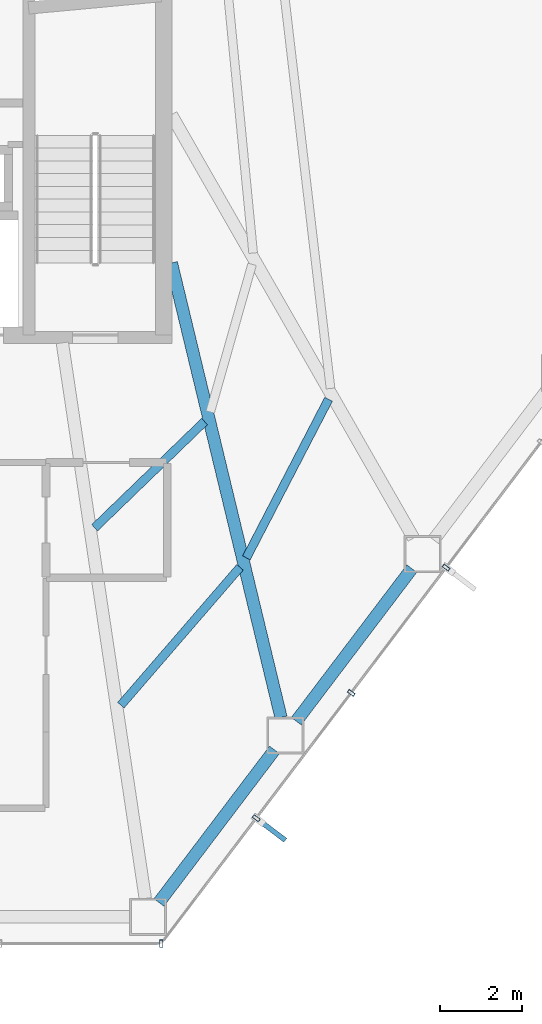
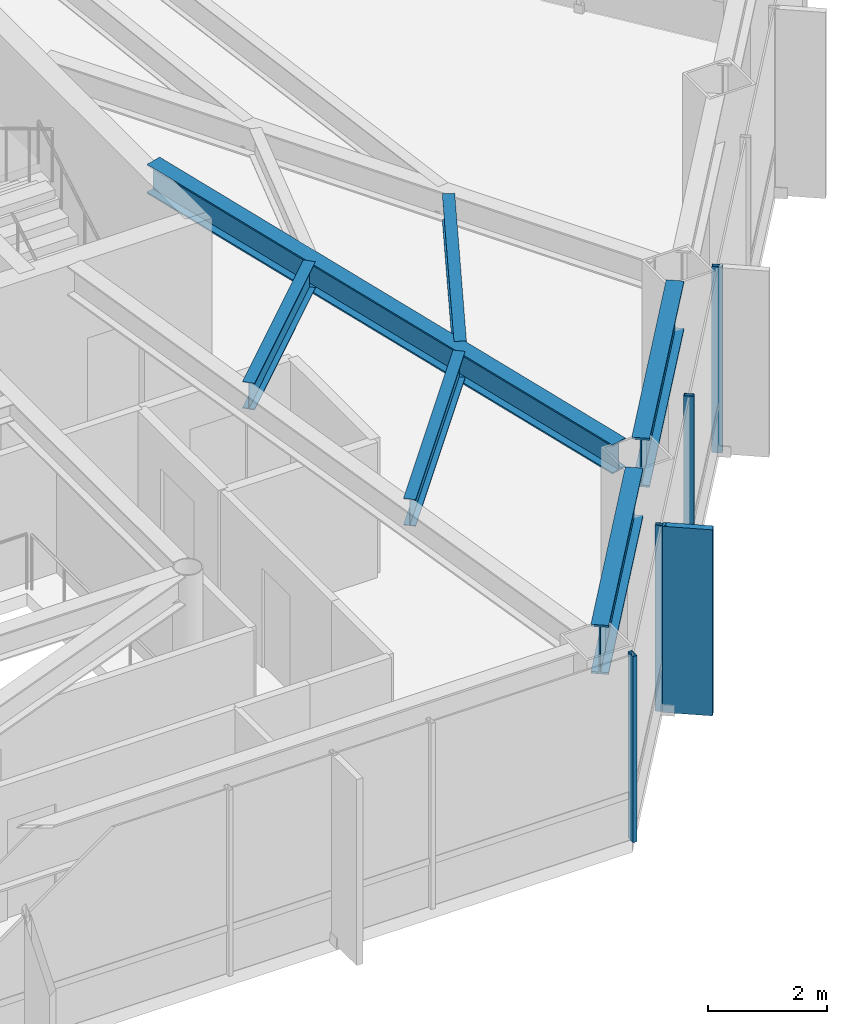
# One storey, part 15 of 25: 6 beams, 5 members, 2 elements without a shape of their own.
"""IFC4 building model written with IfcOpenShell, lengths in metres."""

from ifc_helpers import new_model, si_unit, direction, frame, origin, origin_2d, place, context, subcontext, project, spatial, rectangle, hollow_rectangle, i_section, extrude, material, layer, layer_set, material_profile, profile_set, type_object, element, aggregate, save


model = new_model("IFC4")

# Units and contexts
model_context = context("Model", 3, precision=1e-05, world=origin(), true_north=direction((0.0, 1.0)))
body_context = subcontext(model_context, "Body", "Model", "MODEL_VIEW")
ifc_project = project(units=[si_unit("LENGTHUNIT", "METRE"), si_unit("AREAUNIT", "SQUARE_METRE"), si_unit("VOLUMEUNIT", "CUBIC_METRE"), si_unit("PLANEANGLEUNIT", "RADIAN"), si_unit("MASSUNIT", "GRAM", prefix="KILO")], contexts=[model_context])

# Site, building, storey
site_placement = place(None, origin())
site = spatial("IfcSite", under=ifc_project, at=site_placement, CompositionType="ELEMENT")
building_placement = place(site_placement, origin())
building = spatial("IfcBuilding", under=site, at=building_placement, Name="Zarrinselat Tower", CompositionType="ELEMENT")
storey_placement = place(building_placement, frame((0.0, 0.0, 84.659912109375)))
storey = spatial("IfcBuildingStorey", under=building, at=storey_placement, Name="L20", CompositionType="ELEMENT", Elevation=84.659912109375)

# Beams
ifc_material_1 = material(Name="Steel S355J2", Category="steel")
ifc_material_profile_1 = material_profile(ifc_material_1, i_section(OverallWidth=0.300048828125, OverallDepth=0.60009765625, WebThickness=0.015380859375, FlangeThickness=0.030029296875, at=origin_2d()), Name="HEB 600")
ifc_profile_set_1 = profile_set([ifc_material_profile_1], Name="Steel S355J2")
beam_type_1 = type_object("IfcBeamType", Name="BM-HEB600", PredefinedType="BEAM", material=ifc_profile_set_1)
beam_1_placement = place(storey_placement, frame((48.449951171875, 35.0, 3.52001953125), z_axis=(0.234533399442, -0.972108062175, 0.0), x_axis=(0.972108062175, 0.234533399442, 0.0)))
element("IfcBeam", 1, at=beam_1_placement, inside=storey, type_object=beam_type_1, Name="L20 Radial Primary Girder RG12", PredefinedType="BEAM", context=body_context, shape_type="SweptSolid", body=[
    extrude(i_section(OverallWidth=0.300048828125, OverallDepth=0.60009765625, WebThickness=0.015380859375, FlangeThickness=0.030029296875, at=origin_2d()), origin(), (0.0, 0.0, 1.0), 11.361083984375),
])
ifc_material_2 = material(Name="Steel S460M", Category="steel")
ifc_material_profile_2 = material_profile(ifc_material_2, i_section(OverallWidth=0.302001953125, OverallDepth=1.008056640625, WebThickness=0.02099609375, FlangeThickness=0.0400390625, at=origin_2d()), Name="HEM 1000")
ifc_profile_set_2 = profile_set([ifc_material_profile_2], Name="Steel S460M")
beam_type_2 = type_object("IfcBeamType", Name="BM-HEM1000", PredefinedType="BEAM", material=ifc_profile_set_2)
for number, where, z_axis, x_axis, name in (
    (2, (48.147216796875, 19.458984375, 3.316162109375), (0.603797060273, 0.797138074618, 0.0), (-0.797138074618, 0.603797060273, 0.0), "L20 Perimeter Spandrel Girder SP11"),
    (3, (51.485107421875, 23.865478515625, 3.316162109375), (0.603855667107, 0.797093679126, 0.0), (-0.797093679126, 0.603855667107, 0.0), "L20 Perimeter Spandrel Girder SP12"),
):
    element("IfcBeam", number, at=place(storey_placement, frame(where, z_axis=z_axis, x_axis=x_axis)), inside=storey, type_object=beam_type_2, Name=name, PredefinedType="BEAM", context=body_context, shape_type="SweptSolid", body=[
        extrude(i_section(OverallWidth=0.302001953125, OverallDepth=1.008056640625, WebThickness=0.02099609375, FlangeThickness=0.0400390625, at=origin_2d()), origin(), (0.0, 0.0, 1.0), 4.65185546875),
    ])
ifc_material_3 = material(Name="Steel S355J2", Category="steel")
ifc_material_profile_3 = material_profile(ifc_material_3, i_section(OverallWidth=0.2099609375, OverallDepth=0.550048828125, WebThickness=0.010986328125, FlangeThickness=0.01708984375, at=origin_2d()), Name="IPE 550")
ifc_profile_set_3 = profile_set([ifc_material_profile_3], Name="Steel S355J2")
beam_type_3 = type_object("IfcBeamType", Name="BM-IPE550", PredefinedType="JOIST", material=ifc_profile_set_3)
beam_2_placement = place(storey_placement, frame((47.221923828125, 24.25390625, 3.545166015625), z_axis=(0.653796401675, 0.756670512943, 0.0), x_axis=(-0.756670512943, 0.653796401675, 0.0)))
element("IfcBeam", 4, at=beam_2_placement, inside=storey, type_object=beam_type_3, Name="L20 Composite Floor Joist 3-1", PredefinedType="JOIST", context=body_context, shape_type="SweptSolid", body=[
    extrude(i_section(OverallWidth=0.2099609375, OverallDepth=0.550048828125, WebThickness=0.010986328125, FlangeThickness=0.01708984375, at=origin_2d()), origin(), (0.0, 0.0, 1.0), 4.428466796875),
])
beam_3_placement = place(storey_placement, frame((46.5859375, 28.56640625, 3.545166015625), z_axis=(0.718874470897, 0.695139910444, 0.0), x_axis=(-0.695139910444, 0.718874470897, 0.0)))
element("IfcBeam", 5, at=beam_3_placement, inside=storey, type_object=beam_type_3, Name="L20 Composite Floor Joist 3-2", PredefinedType="JOIST", context=body_context, shape_type="SweptSolid", body=[
    extrude(i_section(OverallWidth=0.2099609375, OverallDepth=0.550048828125, WebThickness=0.010986328125, FlangeThickness=0.01708984375, at=origin_2d()), origin(), (0.0, 0.0, 1.0), 3.71337890625),
])
beam_4_placement = place(storey_placement, frame((50.27294921875, 27.835205078125, 3.545166015625), z_axis=(0.460108562428, 0.887862664369, 0.0), x_axis=(-0.887862664369, 0.460108562428, 0.0)))
element("IfcBeam", 6, at=beam_4_placement, inside=storey, type_object=beam_type_3, Name="L20 Composite Floor Joist 4-1", PredefinedType="JOIST", context=body_context, shape_type="SweptSolid", body=[
    extrude(i_section(OverallWidth=0.2099609375, OverallDepth=0.550048828125, WebThickness=0.010986328125, FlangeThickness=0.01708984375, at=origin_2d()), origin(), (0.0, 0.0, 1.0), 4.3388671875),
])

# Curtain wall, member
ifc_material_4 = material(Name="Extruded Aluminium Alloy EN AW-6063 T6", Category="aluminium")
ifc_layer = layer(ifc_material_4, 0.18505859375)
ifc_layer_set = layer_set([ifc_layer], Name="Extruded Aluminium Alloy EN AW-6063 T6")
curtain_wall_type = type_object("IfcCurtainWallType", Name="CWS-OFF", PredefinedType="NOTDEFINED", material=ifc_layer_set)
curtain_wall_1_placement = place(storey_placement, origin())
curtain_wall_1 = element("IfcCurtainWall", 7, at=curtain_wall_1_placement, inside=storey, type_object=curtain_wall_type, Name="L20 Unitised Curtain Wall CW-L20-E04", PredefinedType="NOTDEFINED")
ifc_material_5 = material(Name="Extruded Aluminium Alloy EN AW-6063 T6", Category="aluminium")
ifc_material_profile_4 = material_profile(ifc_material_5, hollow_rectangle(XDim=0.080078125, YDim=0.179931640625, WallThickness=0.0048828125, at=origin_2d()), Name="RHS 180x80x5")
ifc_profile_set_4 = profile_set([ifc_material_profile_4], Name="Extruded Aluminium Alloy EN AW-6063 T6")
member_type_1 = type_object("IfcMemberType", Name="MEM-CW-MUL", PredefinedType="MULLION", material=ifc_profile_set_4)
member_1_placement = place(storey_placement, frame((48.20556640625, 18.4599609375, 0.0), z_axis=(0.0, 0.0, 1.0), x_axis=(1.0, 0.0, 0.0)))
member_1 = element("IfcMember", 8, at=member_1_placement, type_object=member_type_1, Name="CW-L20-E04 Mullion 7", PredefinedType="MULLION", context=body_context, shape_type="SweptSolid", body=[
    extrude(hollow_rectangle(XDim=0.080078125, YDim=0.179931640625, WallThickness=0.0048828125, at=origin_2d()), origin(), (0.0, 0.0, 1.0), 3.820068359375),
])
aggregate(curtain_wall_1, [member_1])

# Curtain wall, members
curtain_wall_2_placement = place(storey_placement, origin())
curtain_wall_2 = element("IfcCurtainWall", 9, at=curtain_wall_2_placement, inside=storey, type_object=curtain_wall_type, Name="L20 Unitised Curtain Wall CW-L20-E05", PredefinedType="NOTDEFINED")
member_2_placement = place(storey_placement, frame((50.512939453125, 21.505859375, 0.0), z_axis=(0.0, 0.0, 1.0), x_axis=(0.603855672579, 0.797093674981, 0.0)))
member_2 = element("IfcMember", 10, at=member_2_placement, type_object=member_type_1, Name="CW-L20-E05 Mullion 1", PredefinedType="MULLION", context=body_context, shape_type="SweptSolid", body=[
    extrude(hollow_rectangle(XDim=0.080078125, YDim=0.179931640625, WallThickness=0.0048828125, at=origin_2d()), origin(), (0.0, 0.0, 1.0), 3.820068359375),
])
member_3_placement = place(storey_placement, frame((52.820556640625, 24.5517578125, 0.0), z_axis=(0.0, 0.0, 1.0), x_axis=(0.603855672579, 0.797093674981, 0.0)))
member_3 = element("IfcMember", 11, at=member_3_placement, type_object=member_type_1, Name="CW-L20-E05 Mullion 2", PredefinedType="MULLION", context=body_context, shape_type="SweptSolid", body=[
    extrude(hollow_rectangle(XDim=0.080078125, YDim=0.179931640625, WallThickness=0.0048828125, at=origin_2d()), origin(), (0.0, 0.0, 1.0), 3.820068359375),
])
member_4_placement = place(storey_placement, frame((55.1279296875, 27.59765625, 0.0), z_axis=(0.0, 0.0, 1.0), x_axis=(0.603855672579, 0.797093674981, 0.0)))
member_4 = element("IfcMember", 12, at=member_4_placement, type_object=member_type_1, Name="CW-L20-E05 Mullion 3", PredefinedType="MULLION", context=body_context, shape_type="SweptSolid", body=[
    extrude(hollow_rectangle(XDim=0.080078125, YDim=0.179931640625, WallThickness=0.0048828125, at=origin_2d()), origin(), (0.0, 0.0, 1.0), 3.820068359375),
])
ifc_material_6 = material(Name="Honed Cream Travertine Stone", Category="masonry")
ifc_material_profile_5 = material_profile(ifc_material_6, rectangle(XDim=0.1201171875, YDim=0.85009765625, at=origin_2d()), Name="FIN 850x120")
ifc_profile_set_5 = profile_set([ifc_material_profile_5], Name="Honed Cream Travertine Stone")
member_type_2 = type_object("IfcMemberType", Name="MEM-STONE-FIN", PredefinedType="USERDEFINED", material=ifc_profile_set_5)
member_5_placement = place(storey_placement, frame((50.879638671875, 21.22802734375, 0.0), z_axis=(0.0, 0.0, 1.0), x_axis=(-0.603855672579, -0.797093674981, 0.0)))
member_5 = element("IfcMember", 13, at=member_5_placement, type_object=member_type_2, Name="L20 Stone Shading Fin CW-L20-E05-01", ObjectType="FIN", PredefinedType="USERDEFINED", context=body_context, shape_type="SweptSolid", body=[
    extrude(rectangle(XDim=0.1201171875, YDim=0.85009765625, at=origin_2d()), origin(), (0.0, 0.0, 1.0), 3.820068359375),
])
aggregate(curtain_wall_2, [member_2, member_5, member_3, member_4])

save(model, "model.ifc")
